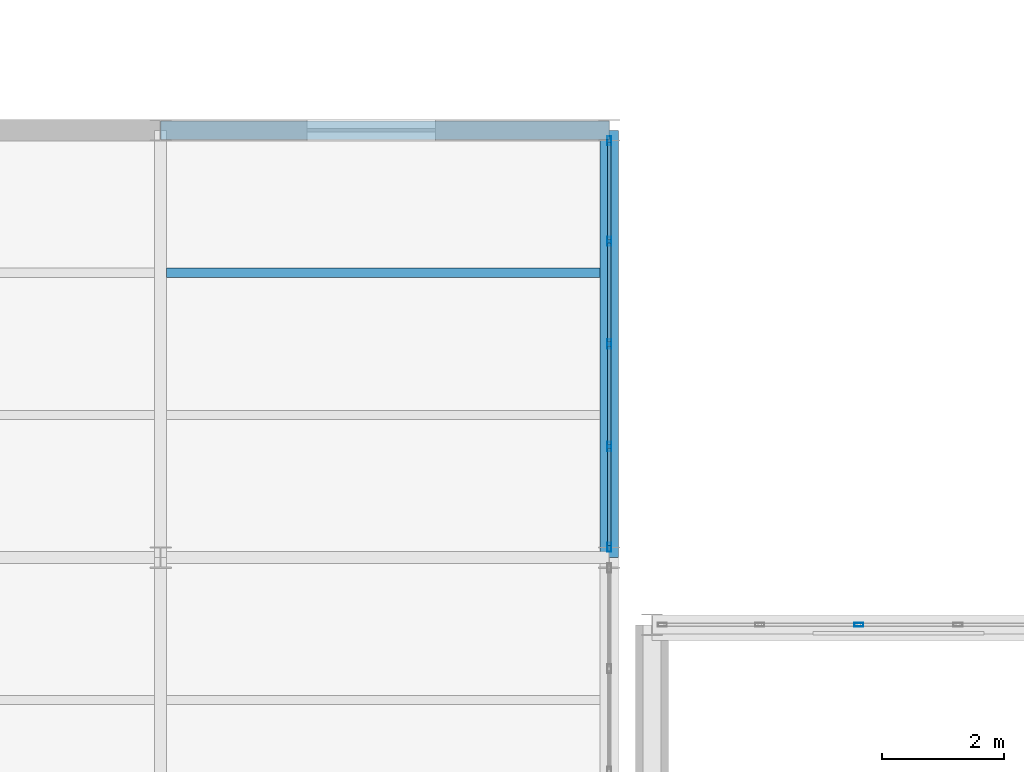
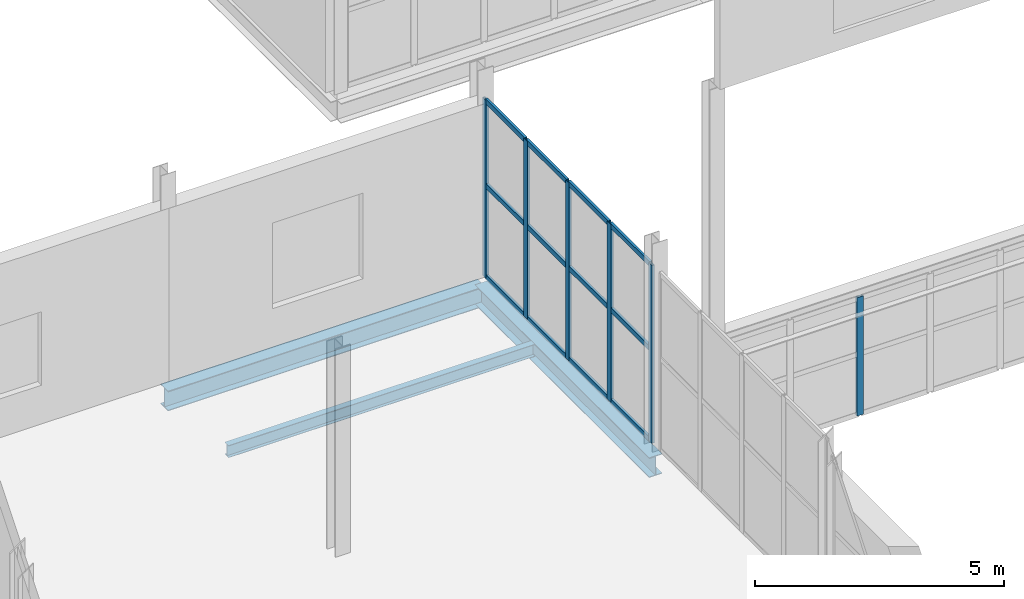
# One storey, part 59 of 218: 18 members, 3 beams, 2 elements without a shape of their own.
"""IFC4 building model written with IfcOpenShell, lengths in metres."""

from ifc_helpers import new_model, si_unit, direction, frame, origin, origin_2d, place, context, subcontext, project, spatial, hollow_rectangle, i_section, extrude, material, material_profile, profile_set, type_object, element, aggregate, save


model = new_model("IFC4")

# Units and contexts
model_context = context("Model", 3, precision=1e-05, world=origin(), true_north=direction((0.0, 1.0)))
body_context = subcontext(model_context, "Body", "Model", "MODEL_VIEW")
ifc_project = project(units=[si_unit("LENGTHUNIT", "METRE"), si_unit("AREAUNIT", "SQUARE_METRE"), si_unit("VOLUMEUNIT", "CUBIC_METRE"), si_unit("PLANEANGLEUNIT", "RADIAN"), si_unit("MASSUNIT", "GRAM", prefix="KILO")], contexts=[model_context])

# Site, building, storey
site_placement = place(None, origin())
site = spatial("IfcSite", under=ifc_project, at=site_placement, CompositionType="ELEMENT")
building_placement = place(site_placement, origin())
building = spatial("IfcBuilding", under=site, at=building_placement, Name="Kazenagashi Tramway Depot", CompositionType="ELEMENT")
storey_placement = place(building_placement, frame((0.0, 0.0, 6.0)))
storey = spatial("IfcBuildingStorey", under=building, at=storey_placement, Name="L02", CompositionType="ELEMENT", Elevation=6.0)

# Beam
ifc_material_1 = material(Name="Steel SN400B", Category="steel")
ifc_material_profile_1 = material_profile(ifc_material_1, i_section(OverallWidth=0.15, OverallDepth=0.3, WebThickness=0.0065, FlangeThickness=0.009, at=origin_2d()), Name="H-300x150x6.5x9")
ifc_profile_set_1 = profile_set([ifc_material_profile_1], Name="Steel SN400B")
beam_type_1 = type_object("IfcBeamType", Name="J-02", PredefinedType="JOIST", material=ifc_profile_set_1)
beam_1_placement = place(storey_placement, frame((36.85, 60.667, -0.4), z_axis=(1.0, 0.0, 0.0), x_axis=(0.0, 1.0, 0.0)))
element("IfcBeam", 1, at=beam_1_placement, inside=storey, type_object=beam_type_1, Name="Beam J-02 BM-0208", PredefinedType="JOIST", context=body_context, shape_type="SweptSolid", body=[
    extrude(i_section(OverallWidth=0.15, OverallDepth=0.3, WebThickness=0.0065, FlangeThickness=0.009, at=origin_2d()), origin(), (0.0, 0.0, 1.0), 7.1),
])

# Curtain wall, member
ifc_material_2 = material(Name="Anodised Aluminium and Low-E Glazing", Category="aluminium")
curtain_wall_type_1 = type_object("IfcCurtainWallType", Name="CW-21", PredefinedType="USERDEFINED", material=ifc_material_2)
curtain_wall_1_placement = place(storey_placement, origin())
curtain_wall_1 = element("IfcCurtainWall", 2, at=curtain_wall_1_placement, inside=storey, type_object=curtain_wall_type_1, Name="Industrial Glazed Screen CW-21 CW-0107", ObjectType="GLAZED SCREEN", PredefinedType="USERDEFINED")
ifc_material_3 = material(Name="Anodised Aluminium", Category="aluminium")
ifc_material_profile_2 = material_profile(ifc_material_3, hollow_rectangle(XDim=0.06, YDim=0.15, WallThickness=0.004, at=origin_2d()), Name="RHS-150x60x4")
ifc_profile_set_2 = profile_set([ifc_material_profile_2], Name="Anodised Aluminium")
member_type_1 = type_object("IfcMemberType", Name="ML-01", PredefinedType="MULLION", material=ifc_profile_set_2)
member_1_placement = place(storey_placement, frame((48.188, 54.9, 0.0), z_axis=(0.0, 0.0, 1.0), x_axis=(0.0, 1.0, 0.0)))
member_1 = element("IfcMember", 3, at=member_1_placement, type_object=member_type_1, Name="CW-21 mullion 3", PredefinedType="MULLION", context=body_context, shape_type="SweptSolid", body=[
    extrude(hollow_rectangle(XDim=0.06, YDim=0.15, WallThickness=0.004, at=origin_2d()), origin(), (0.0, 0.0, 1.0), 2.9),
])
aggregate(curtain_wall_1, [member_1])

# Curtain wall, members
curtain_wall_type_2 = type_object("IfcCurtainWallType", Name="CW-34", PredefinedType="USERDEFINED", material=ifc_material_2)
curtain_wall_2_placement = place(storey_placement, origin())
curtain_wall_2 = element("IfcCurtainWall", 4, at=curtain_wall_2_placement, inside=storey, type_object=curtain_wall_type_2, Name="Industrial Glazed Screen CW-34 CW-0196", ObjectType="GLAZED SCREEN", PredefinedType="USERDEFINED")
member_2_placement = place(storey_placement, frame((44.1, 56.17, 0.0), z_axis=(0.0, 0.0, 1.0), x_axis=(-1.0, 0.0, 0.0)))
member_2 = element("IfcMember", 5, at=member_2_placement, type_object=member_type_1, Name="CW-34 mullion 1", PredefinedType="MULLION", context=body_context, shape_type="SweptSolid", body=[
    extrude(hollow_rectangle(XDim=0.06, YDim=0.15, WallThickness=0.004, at=origin_2d()), origin(), (0.0, 0.0, 1.0), 4.362),
])
member_3_placement = place(storey_placement, frame((44.1, 57.82, 0.0), z_axis=(0.0, 0.0, 1.0), x_axis=(-1.0, 0.0, 0.0)))
member_3 = element("IfcMember", 6, at=member_3_placement, type_object=member_type_1, Name="CW-34 mullion 2", PredefinedType="MULLION", context=body_context, shape_type="SweptSolid", body=[
    extrude(hollow_rectangle(XDim=0.06, YDim=0.15, WallThickness=0.004, at=origin_2d()), origin(), (0.0, 0.0, 1.0), 4.362),
])
member_4_placement = place(storey_placement, frame((44.1, 59.5, 0.0), z_axis=(0.0, 0.0, 1.0), x_axis=(-1.0, 0.0, 0.0)))
member_4 = element("IfcMember", 7, at=member_4_placement, type_object=member_type_1, Name="CW-34 mullion 3", PredefinedType="MULLION", context=body_context, shape_type="SweptSolid", body=[
    extrude(hollow_rectangle(XDim=0.06, YDim=0.15, WallThickness=0.004, at=origin_2d()), origin(), (0.0, 0.0, 1.0), 4.362),
])
member_5_placement = place(storey_placement, frame((44.1, 61.18, 0.0), z_axis=(0.0, 0.0, 1.0), x_axis=(-1.0, 0.0, 0.0)))
member_5 = element("IfcMember", 8, at=member_5_placement, type_object=member_type_1, Name="CW-34 mullion 4", PredefinedType="MULLION", context=body_context, shape_type="SweptSolid", body=[
    extrude(hollow_rectangle(XDim=0.06, YDim=0.15, WallThickness=0.004, at=origin_2d()), origin(), (0.0, 0.0, 1.0), 4.362),
])
member_6_placement = place(storey_placement, frame((44.1, 62.83, 0.0), z_axis=(0.0, 0.0, 1.0), x_axis=(-1.0, 0.0, 0.0)))
member_6 = element("IfcMember", 9, at=member_6_placement, type_object=member_type_1, Name="CW-34 mullion 5", PredefinedType="MULLION", context=body_context, shape_type="SweptSolid", body=[
    extrude(hollow_rectangle(XDim=0.06, YDim=0.15, WallThickness=0.004, at=origin_2d()), origin(), (0.0, 0.0, 1.0), 4.362),
])

# Beams
ifc_material_4 = material(Name="Steel SN490B", Category="steel")
ifc_material_profile_3 = material_profile(ifc_material_4, i_section(OverallWidth=0.3, OverallDepth=0.488, WebThickness=0.011, FlangeThickness=0.018, at=origin_2d()), Name="H-488x300x11x18")
ifc_profile_set_3 = profile_set([ifc_material_profile_3], Name="Steel SN490B")
beam_type_2 = type_object("IfcBeamType", Name="SP-02", PredefinedType="SPANDREL", material=ifc_profile_set_3)
beam_2_placement = place(storey_placement, frame((36.75, 63.0, -0.494), z_axis=(1.0, 0.0, 0.0), x_axis=(0.0, 1.0, 0.0)))
element("IfcBeam", 10, at=beam_2_placement, inside=storey, type_object=beam_type_2, Name="Beam SP-02 BM-0054", PredefinedType="SPANDREL", context=body_context, shape_type="SweptSolid", body=[
    extrude(i_section(OverallWidth=0.3, OverallDepth=0.488, WebThickness=0.011, FlangeThickness=0.018, at=origin_2d()), origin(), (0.0, 0.0, 1.0), 7.35),
])
beam_3_placement = place(storey_placement, frame((44.1, 56.0, -0.494), z_axis=(0.0, 1.0, 0.0), x_axis=(-1.0, 0.0, 0.0)))
element("IfcBeam", 11, at=beam_3_placement, inside=storey, type_object=beam_type_2, Name="Beam SP-02 BM-0217", PredefinedType="SPANDREL", context=body_context, shape_type="SweptSolid", body=[
    extrude(i_section(OverallWidth=0.3, OverallDepth=0.488, WebThickness=0.011, FlangeThickness=0.018, at=origin_2d()), origin(), (0.0, 0.0, 1.0), 7.0),
])

# Member
ifc_material_profile_4 = material_profile(ifc_material_3, hollow_rectangle(XDim=0.06, YDim=0.12, WallThickness=0.004, at=origin_2d()), Name="RHS-120x60x4")
ifc_profile_set_4 = profile_set([ifc_material_profile_4], Name="Anodised Aluminium")
member_type_2 = type_object("IfcMemberType", Name="TR-01", PredefinedType="USERDEFINED", material=ifc_profile_set_4)
member_7_placement = place(storey_placement, frame((44.1, 56.2, 0.03), z_axis=(0.0, 1.0, 0.0), x_axis=(-1.0, 0.0, 0.0)))
member_7 = element("IfcMember", 12, at=member_7_placement, type_object=member_type_2, Name="CW-34 transom 1.1", ObjectType="TRANSOM", PredefinedType="USERDEFINED", context=body_context, shape_type="SweptSolid", body=[
    extrude(hollow_rectangle(XDim=0.06, YDim=0.12, WallThickness=0.004, at=origin_2d()), origin(), (0.0, 0.0, 1.0), 1.59),
])

member_8_placement = place(storey_placement, frame((44.1, 56.2, 2.268), z_axis=(0.0, 1.0, 0.0), x_axis=(-1.0, 0.0, 0.0)))
member_8 = element("IfcMember", 13, at=member_8_placement, type_object=member_type_2, Name="CW-34 transom 1.2", ObjectType="TRANSOM", PredefinedType="USERDEFINED", context=body_context, shape_type="SweptSolid", body=[
    extrude(hollow_rectangle(XDim=0.06, YDim=0.12, WallThickness=0.004, at=origin_2d()), origin(), (0.0, 0.0, 1.0), 1.59),
])

member_9_placement = place(storey_placement, frame((44.1, 56.2, 4.332), z_axis=(0.0, 1.0, 0.0), x_axis=(-1.0, 0.0, 0.0)))
member_9 = element("IfcMember", 14, at=member_9_placement, type_object=member_type_2, Name="CW-34 transom 1.3", ObjectType="TRANSOM", PredefinedType="USERDEFINED", context=body_context, shape_type="SweptSolid", body=[
    extrude(hollow_rectangle(XDim=0.06, YDim=0.12, WallThickness=0.004, at=origin_2d()), origin(), (0.0, 0.0, 1.0), 1.59),
])

member_10_placement = place(storey_placement, frame((44.1, 57.85, 0.03), z_axis=(0.0, 1.0, 0.0), x_axis=(-1.0, 0.0, 0.0)))
member_10 = element("IfcMember", 15, at=member_10_placement, type_object=member_type_2, Name="CW-34 transom 2.1", ObjectType="TRANSOM", PredefinedType="USERDEFINED", context=body_context, shape_type="SweptSolid", body=[
    extrude(hollow_rectangle(XDim=0.06, YDim=0.12, WallThickness=0.004, at=origin_2d()), origin(), (0.0, 0.0, 1.0), 1.62),
])

member_11_placement = place(storey_placement, frame((44.1, 57.85, 2.268), z_axis=(0.0, 1.0, 0.0), x_axis=(-1.0, 0.0, 0.0)))
member_11 = element("IfcMember", 16, at=member_11_placement, type_object=member_type_2, Name="CW-34 transom 2.2", ObjectType="TRANSOM", PredefinedType="USERDEFINED", context=body_context, shape_type="SweptSolid", body=[
    extrude(hollow_rectangle(XDim=0.06, YDim=0.12, WallThickness=0.004, at=origin_2d()), origin(), (0.0, 0.0, 1.0), 1.62),
])

member_12_placement = place(storey_placement, frame((44.1, 57.85, 4.332), z_axis=(0.0, 1.0, 0.0), x_axis=(-1.0, 0.0, 0.0)))
member_12 = element("IfcMember", 17, at=member_12_placement, type_object=member_type_2, Name="CW-34 transom 2.3", ObjectType="TRANSOM", PredefinedType="USERDEFINED", context=body_context, shape_type="SweptSolid", body=[
    extrude(hollow_rectangle(XDim=0.06, YDim=0.12, WallThickness=0.004, at=origin_2d()), origin(), (0.0, 0.0, 1.0), 1.62),
])

member_13_placement = place(storey_placement, frame((44.1, 59.53, 0.03), z_axis=(0.0, 1.0, 0.0), x_axis=(-1.0, 0.0, 0.0)))
member_13 = element("IfcMember", 18, at=member_13_placement, type_object=member_type_2, Name="CW-34 transom 3.1", ObjectType="TRANSOM", PredefinedType="USERDEFINED", context=body_context, shape_type="SweptSolid", body=[
    extrude(hollow_rectangle(XDim=0.06, YDim=0.12, WallThickness=0.004, at=origin_2d()), origin(), (0.0, 0.0, 1.0), 1.62),
])

member_14_placement = place(storey_placement, frame((44.1, 59.53, 2.268), z_axis=(0.0, 1.0, 0.0), x_axis=(-1.0, 0.0, 0.0)))
member_14 = element("IfcMember", 19, at=member_14_placement, type_object=member_type_2, Name="CW-34 transom 3.2", ObjectType="TRANSOM", PredefinedType="USERDEFINED", context=body_context, shape_type="SweptSolid", body=[
    extrude(hollow_rectangle(XDim=0.06, YDim=0.12, WallThickness=0.004, at=origin_2d()), origin(), (0.0, 0.0, 1.0), 1.62),
])

member_15_placement = place(storey_placement, frame((44.1, 59.53, 4.332), z_axis=(0.0, 1.0, 0.0), x_axis=(-1.0, 0.0, 0.0)))
member_15 = element("IfcMember", 20, at=member_15_placement, type_object=member_type_2, Name="CW-34 transom 3.3", ObjectType="TRANSOM", PredefinedType="USERDEFINED", context=body_context, shape_type="SweptSolid", body=[
    extrude(hollow_rectangle(XDim=0.06, YDim=0.12, WallThickness=0.004, at=origin_2d()), origin(), (0.0, 0.0, 1.0), 1.62),
])

member_16_placement = place(storey_placement, frame((44.1, 61.21, 0.03), z_axis=(0.0, 1.0, 0.0), x_axis=(-1.0, 0.0, 0.0)))
member_16 = element("IfcMember", 21, at=member_16_placement, type_object=member_type_2, Name="CW-34 transom 4.1", ObjectType="TRANSOM", PredefinedType="USERDEFINED", context=body_context, shape_type="SweptSolid", body=[
    extrude(hollow_rectangle(XDim=0.06, YDim=0.12, WallThickness=0.004, at=origin_2d()), origin(), (0.0, 0.0, 1.0), 1.59),
])

member_17_placement = place(storey_placement, frame((44.1, 61.21, 2.268), z_axis=(0.0, 1.0, 0.0), x_axis=(-1.0, 0.0, 0.0)))
member_17 = element("IfcMember", 22, at=member_17_placement, type_object=member_type_2, Name="CW-34 transom 4.2", ObjectType="TRANSOM", PredefinedType="USERDEFINED", context=body_context, shape_type="SweptSolid", body=[
    extrude(hollow_rectangle(XDim=0.06, YDim=0.12, WallThickness=0.004, at=origin_2d()), origin(), (0.0, 0.0, 1.0), 1.59),
])

member_18_placement = place(storey_placement, frame((44.1, 61.21, 4.332), z_axis=(0.0, 1.0, 0.0), x_axis=(-1.0, 0.0, 0.0)))
member_18 = element("IfcMember", 23, at=member_18_placement, type_object=member_type_2, Name="CW-34 transom 4.3", ObjectType="TRANSOM", PredefinedType="USERDEFINED", context=body_context, shape_type="SweptSolid", body=[
    extrude(hollow_rectangle(XDim=0.06, YDim=0.12, WallThickness=0.004, at=origin_2d()), origin(), (0.0, 0.0, 1.0), 1.59),
])

aggregate(curtain_wall_2, [member_2, member_3, member_4, member_5, member_6, member_7, member_8, member_9, member_10, member_11, member_12, member_13, member_14, member_15, member_16, member_17, member_18])

save(model, "model.ifc")
